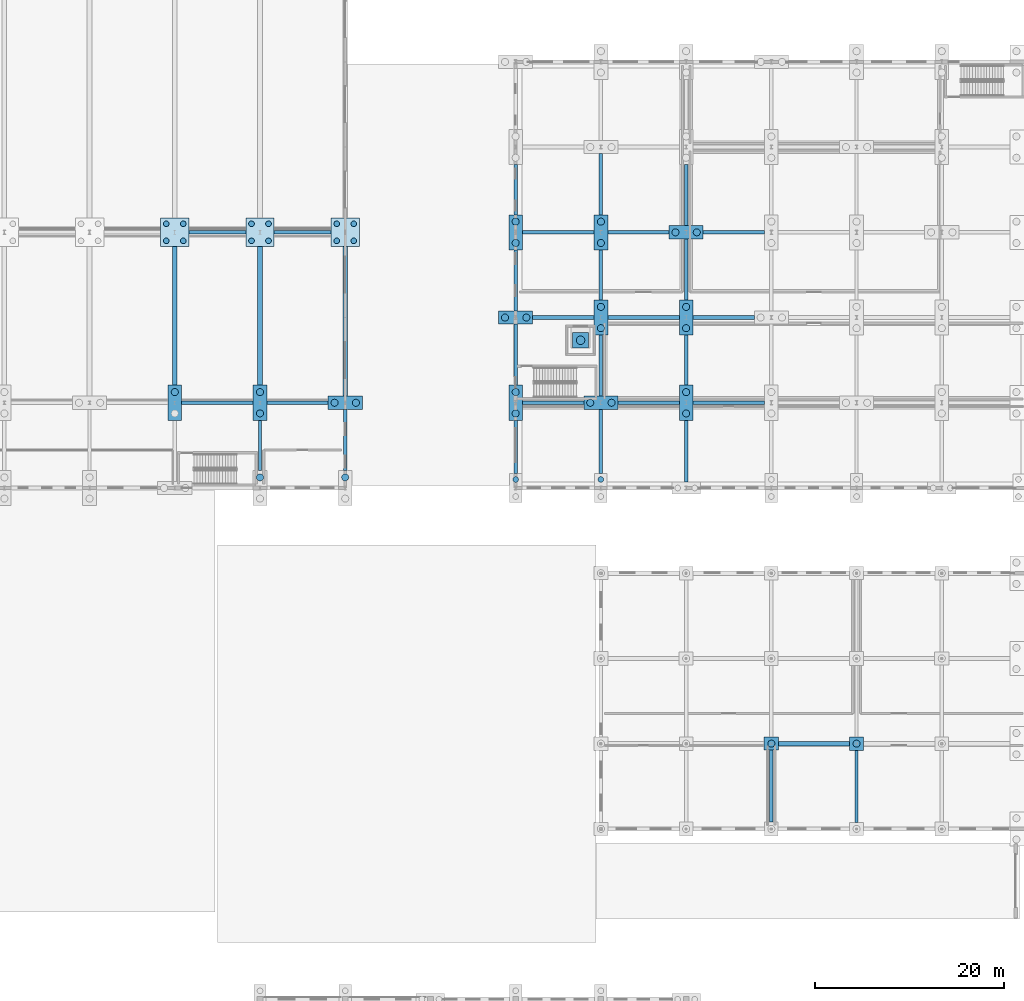
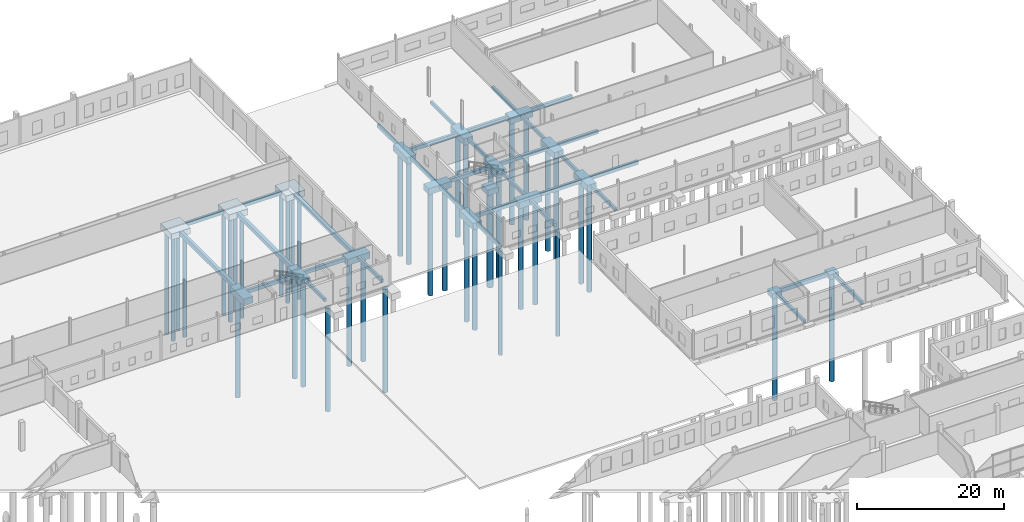
# One storey, part 14 of 112: 51 footings, 42 piles.
"""IFC4 building model written with IfcOpenShell, lengths in metres."""

import ifcopenshell
import ifcopenshell.guid

model = None  # the IFC model being written
_history = None  # IfcOwnerHistory: only IFC2X3 demands one
_inside = {}  # id of a spatial element -> (the spatial element, [elements in it])
_under = {}  # id of a project, library or spatial element -> (it, [spatial elements below it])
_declared = {}  # id of a project -> (the project, [libraries it declares])
_typed = {}  # id of a type object -> (the type object, [elements of that type])
_made_of = {}  # id of a material, layer set ... -> (it, [elements and type objects made of it])


def new_model(schema):
    """Start an empty IFC model of exactly this schema.

    Asked for "IFC4X3", IfcOpenShell would pick the latest addendum, in which some entities
    have other attributes; the version numbers below select the first issue.
    IFC2X3 requires an IfcOwnerHistory on every rooted entity: one is made here for all.
    """
    global model, _history
    if schema == "IFC4X3":
        model = ifcopenshell.file(schema_version=(4, 3, 0, 0))
    else:
        model = ifcopenshell.file(schema=schema)
    _inside.clear()
    _under.clear()
    _declared.clear()
    _typed.clear()
    _made_of.clear()
    _history = None
    if model.schema == "IFC2X3":
        org = make("IfcOrganization", Name="unknown")
        user = make(
            "IfcPersonAndOrganization",
            ThePerson=make("IfcPerson", FamilyName="unknown"),
            TheOrganization=org,
        )
        app = make(
            "IfcApplication",
            ApplicationDeveloper=org,
            Version="unknown",
            ApplicationFullName="unknown",
            ApplicationIdentifier="unknown",
        )
        _history = make(
            "IfcOwnerHistory",
            OwningUser=user,
            OwningApplication=app,
            ChangeAction="ADDED",
            CreationDate=0,
        )
    return model


def make(cls, **values):
    """One entity of the class cls with the attributes given. An attribute that is None is left unset."""
    return model.create_entity(
        cls, **{name: value for name, value in values.items() if value is not None}
    )


def rooted(cls, **values):
    """An entity with a GlobalId (a new one), such as an element, a storey or a relation."""
    return make(cls, GlobalId=ifcopenshell.guid.new(), OwnerHistory=_history, **values)


def si_unit(unit_type, name, prefix=None):
    """IfcSIUnit, for example si_unit("LENGTHUNIT", "METRE", prefix="MILLI")."""
    return make("IfcSIUnit", UnitType=unit_type, Prefix=prefix, Name=name)


def assignment(units):
    """IfcUnitAssignment: the units of a project."""
    return None if units is None else make("IfcUnitAssignment", Units=units)


def point(xyz):
    """IfcCartesianPoint."""
    return None if xyz is None else make("IfcCartesianPoint", Coordinates=xyz)


def direction(xyz):
    """IfcDirection."""
    return None if xyz is None else make("IfcDirection", DirectionRatios=xyz)


def frame(location, z_axis=None, x_axis=None):
    """IfcAxis2Placement3D, a coordinate frame: its origin and axes. An axis left out is left unset."""
    return make(
        "IfcAxis2Placement3D",
        Location=point(location),
        Axis=direction(z_axis),
        RefDirection=direction(x_axis),
    )


def frame_2d(location, x_axis=None):
    """IfcAxis2Placement2D, a coordinate frame in the plane: its origin and x axis."""
    return make(
        "IfcAxis2Placement2D", Location=point(location), RefDirection=direction(x_axis)
    )


def origin():
    """The frame at (0, 0, 0) with its axes left unset."""
    return frame((0.0, 0.0, 0.0))


def origin_2d():
    """The frame at (0, 0) in the plane with its x axis left unset."""
    return frame_2d((0.0, 0.0))


def place(relative_to, where):
    """IfcLocalPlacement: puts the frame where relative to a parent placement (None: the world)."""
    return make(
        "IfcLocalPlacement", PlacementRelTo=relative_to, RelativePlacement=where
    )


def context(
    kind, dimensions, precision=None, world=None, true_north=None, identifier=None
):
    """IfcGeometricRepresentationContext, for example the 3D "Model" context."""
    return make(
        "IfcGeometricRepresentationContext",
        ContextIdentifier=identifier,
        ContextType=kind,
        CoordinateSpaceDimension=dimensions,
        Precision=precision,
        WorldCoordinateSystem=world,
        TrueNorth=true_north,
    )


def subcontext(parent, identifier, kind, view, scale=None):
    """IfcGeometricRepresentationSubContext, for example "Body" below "Model"."""
    return make(
        "IfcGeometricRepresentationSubContext",
        ContextIdentifier=identifier,
        ContextType=kind,
        ParentContext=parent,
        TargetScale=scale,
        TargetView=view,
    )


def project(units=None, contexts=None):
    """IfcProject with its units and contexts."""
    return rooted(
        "IfcProject",
        Name="project",
        RepresentationContexts=contexts,
        UnitsInContext=assignment(units),
    )


def spatial(cls, under=None, at=None, **own):
    """A site, building, storey or space (cls), placed at a placement, below another one or the project."""
    s = rooted(cls, ObjectPlacement=at, **own)
    if under is not None:
        _under.setdefault(under.id(), (under, []))[1].append(s)
    return s


def polyline(points):
    """IfcPolyline through the points."""
    return make("IfcPolyline", Points=[point(p) for p in points])


def profile(cls, at=None, kind="AREA", **sizes):
    """A parametric profile (cls). Its sizes go by their IFC names, for example OverallWidth=200.0."""
    return make(cls, ProfileType=kind, Position=at, **sizes)


def rectangle(**sizes):
    """IfcRectangleProfileDef."""
    return profile("IfcRectangleProfileDef", **sizes)


def circle(**sizes):
    """IfcCircleProfileDef."""
    return profile("IfcCircleProfileDef", **sizes)


def outline(outer, holes=None, kind="AREA"):
    """IfcArbitraryClosedProfileDef: a profile drawn as a closed curve; with holes, ...WithVoids."""
    if holes is None:
        return make("IfcArbitraryClosedProfileDef", ProfileType=kind, OuterCurve=outer)
    return make(
        "IfcArbitraryProfileDefWithVoids",
        ProfileType=kind,
        OuterCurve=outer,
        InnerCurves=holes,
    )


def extrude(swept, where, along, depth):
    """IfcExtrudedAreaSolid: the profile swept, set in the frame where, extruded along a direction by depth."""
    return make(
        "IfcExtrudedAreaSolid",
        SweptArea=swept,
        Position=where,
        ExtrudedDirection=direction(along),
        Depth=depth,
    )


def shape(context_of_items, identifier, shape_type, items):
    """IfcShapeRepresentation: the items that make up one representation, for example the "Body"."""
    return make(
        "IfcShapeRepresentation",
        ContextOfItems=context_of_items,
        RepresentationIdentifier=identifier,
        RepresentationType=shape_type,
        Items=items,
    )


def material(Name=None, Category=None):
    """IfcMaterial."""
    return make("IfcMaterial", Name=Name, Category=Category)


def material_profile(
    of_material, cross_section, Name=None, Category=None, Priority=None
):
    """IfcMaterialProfile: a cross section and its material."""
    return make(
        "IfcMaterialProfile",
        Name=Name,
        Material=of_material,
        Profile=cross_section,
        Priority=Priority,
        Category=Category,
    )


def profile_set(profiles, Name=None, composite=None):
    """IfcMaterialProfileSet."""
    return make(
        "IfcMaterialProfileSet",
        Name=Name,
        MaterialProfiles=profiles,
        CompositeProfile=composite,
    )


def made_of(thing, what):
    """Note that an element or type object is made of a material, layer set ...; save() writes the relation."""
    if what is not None:
        _made_of.setdefault(what.id(), (what, []))[1].append(thing)
    return thing


def type_object(cls, material=None, **own):
    """A type object (cls), such as IfcWallType, which elements share."""
    return made_of(rooted(cls, **own), material)


def element(
    cls,
    number,
    at=None,
    inside=None,
    cuts=None,
    type_object=None,
    material=None,
    context=None,
    identifier="Body",
    shape_type=None,
    held_by="IfcProductDefinitionShape",
    body=None,
    shapes=None,
    **own,
):
    """One element of the class cls, such as IfcWall. Its Tag is "e" and its number.

    at: its placement. inside: the storey or other place that contains it. cuts: it is an
    opening in that element (IfcRelVoidsElement). A single representation is given by context,
    identifier, shape_type and body (its items); several are given by shapes. held_by: the class
    of the entity that holds the representations. save() writes the other relations.
    """
    e = rooted(cls, Tag="e%d" % number, ObjectPlacement=at, **own)
    if body is not None:
        shapes = [shape(context, identifier, shape_type, body)]
    if shapes is not None:
        e.Representation = make(held_by, Representations=shapes)
    if inside is not None:
        _inside.setdefault(inside.id(), (inside, []))[1].append(e)
    if cuts is not None:
        rooted(
            "IfcRelVoidsElement", RelatingBuildingElement=cuts, RelatedOpeningElement=e
        )
    if type_object is not None:
        _typed.setdefault(type_object.id(), (type_object, []))[1].append(e)
    return made_of(e, material)


def aggregate(whole, parts):
    """IfcRelAggregates: a whole, such as a stair, and the parts it consists of."""
    return rooted("IfcRelAggregates", RelatingObject=whole, RelatedObjects=parts)


def save(model, path):
    """Write the relations noted so far, then the file.

    IfcRelAggregates (storeys below a building ...), IfcRelContainedInSpatialStructure (elements
    in a storey), IfcRelDefinesByType, IfcRelAssociatesMaterial and IfcRelDeclares: one each for
    every whole, place, type object, material and project.
    """
    for whole, parts in _under.values():
        aggregate(whole, parts)
    for where, things in _inside.values():
        rooted(
            "IfcRelContainedInSpatialStructure",
            RelatedElements=things,
            RelatingStructure=where,
        )
    for kind, things in _typed.values():
        rooted("IfcRelDefinesByType", RelatedObjects=things, RelatingType=kind)
    for what, things in _made_of.values():
        rooted("IfcRelAssociatesMaterial", RelatedObjects=things, RelatingMaterial=what)
    for by, libraries in _declared.values():
        rooted("IfcRelDeclares", RelatingContext=by, RelatedDefinitions=libraries)
    model.write(path)


model = new_model("IFC4")

# Units and contexts
model_context = context("Model", 3, precision=1e-05, world=origin(), true_north=direction((0.0, 1.0)))
body_context = subcontext(model_context, "Body", "Model", "MODEL_VIEW")
ifc_project = project(units=[si_unit("LENGTHUNIT", "METRE"), si_unit("AREAUNIT", "SQUARE_METRE"), si_unit("VOLUMEUNIT", "CUBIC_METRE"), si_unit("PLANEANGLEUNIT", "RADIAN"), si_unit("MASSUNIT", "GRAM", prefix="KILO")], contexts=[model_context])

# Site, building, storey
site_placement = place(None, origin())
site = spatial("IfcSite", under=ifc_project, at=site_placement, CompositionType="ELEMENT")
building_placement = place(site_placement, origin())
building = spatial("IfcBuilding", under=site, at=building_placement, Name="Tharagai Park Tramway Depot", CompositionType="ELEMENT")
storey_placement = place(building_placement, origin())
storey = spatial("IfcBuildingStorey", under=building, at=storey_placement, Name="L00", CompositionType="ELEMENT", Elevation=0.0)

# Piles
ifc_material = material(Name="Concrete M40", Category="concrete")
ifc_material_profile_1 = material_profile(ifc_material, circle(Radius=0.449951171875, at=origin_2d()), Name="PILE D900")
ifc_profile_set_1 = profile_set([ifc_material_profile_1], Name="Concrete M40")
pile_type_1 = type_object("IfcPileType", Name="BP-01", PredefinedType="BORED", material=ifc_profile_set_1)
pile_1_placement = place(storey_placement, frame((168.85009765625, 105.60009765625, -2.60009765625), z_axis=(0.0, 0.0, -1.0), x_axis=(1.0, 0.0, 0.0)))
element("IfcPile", 1, at=pile_1_placement, inside=storey, type_object=pile_type_1, Name="Lift LG-02 Pit Bored Pile", PredefinedType="BORED", context=body_context, shape_type="SweptSolid", body=[
    extrude(circle(Radius=0.449951171875, at=origin_2d()), origin(), (0.0, 0.0, 1.0), 15.89990234375),
])
ifc_material_profile_2 = material_profile(ifc_material, circle(Radius=0.375, at=origin_2d()), Name="PILE D750")
ifc_profile_set_2 = profile_set([ifc_material_profile_2], Name="Concrete M40")
pile_type_2 = type_object("IfcPileType", Name="BP-02", PredefinedType="BORED", material=ifc_profile_set_2)
for number, where, z_axis, x_axis, name in (
    (2, (126.0, 100.125, -1.280029296875), (0.0, 0.0, -1.0), (1.0, 0.0, 0.0), "Bored Pile BP-02 (126,99) #2"),
    (3, (135.0, 91.125, -1.280029296875), (0.0, 0.0, -1.0), (1.0, 0.0, 0.0), "Bored Pile BP-02 (135,90) #2"),
    (4, (135.0, 97.875, -1.280029296875), (0.0, 0.0, -1.0), (1.0, 0.0, 0.0), "Bored Pile BP-02 (135,99) #1"),
    (5, (135.0, 100.125, -1.280029296875), (0.0, 0.0, -1.0), (1.0, 0.0, 0.0), "Bored Pile BP-02 (135,99) #2"),
    (6, (144.0, 91.125, -1.280029296875), (0.0, 0.0, -1.0), (1.0, 0.0, 0.0), "Bored Pile BP-02 (144,90) #2"),
):
    element("IfcPile", number, at=place(storey_placement, frame(where, z_axis=z_axis, x_axis=x_axis)), inside=storey, type_object=pile_type_2, Name=name, PredefinedType="BORED", context=body_context, shape_type="SweptSolid", body=[
        extrude(circle(Radius=0.375, at=origin_2d()), origin(), (0.0, 0.0, 1.0), 17.219970703125),
    ])
for number, where, z_axis, x_axis, name in (
    (7, (142.875, 99.0, -1.25), (0.0, 0.0, -1.0), (1.0, 0.0, 0.0), "Bored Pile BP-02 (144,99) #1"),
    (8, (145.125, 99.0, -1.25), (0.0, 0.0, -1.0), (1.0, 0.0, 0.0), "Bored Pile BP-02 (144,99) #2"),
):
    element("IfcPile", number, at=place(storey_placement, frame(where, z_axis=z_axis, x_axis=x_axis)), inside=storey, type_object=pile_type_2, Name=name, PredefinedType="BORED", context=body_context, shape_type="SweptSolid", body=[
        extrude(circle(Radius=0.375, at=origin_2d()), origin(), (0.0, 0.0, 1.0), 17.25),
    ])
for number, where, z_axis, x_axis, name in (
    (9, (162.0, 97.875, -1.280029296875), (0.0, 0.0, -1.0), (1.0, 0.0, 0.0), "Bored Pile BP-02 (162,99) #1"),
    (10, (162.0, 100.125, -1.280029296875), (0.0, 0.0, -1.0), (1.0, 0.0, 0.0), "Bored Pile BP-02 (162,99) #2"),
):
    element("IfcPile", number, at=place(storey_placement, frame(where, z_axis=z_axis, x_axis=x_axis)), inside=storey, type_object=pile_type_2, Name=name, PredefinedType="BORED", context=body_context, shape_type="SweptSolid", body=[
        extrude(circle(Radius=0.375, at=origin_2d()), origin(), (0.0, 0.0, 1.0), 17.219970703125),
    ])
for number, where, z_axis, x_axis, name in (
    (11, (160.875, 108.0, -1.25), (0.0, 0.0, -1.0), (1.0, 0.0, 0.0), "Bored Pile BP-02 (162,108) #1"),
    (12, (163.125, 108.0, -1.25), (0.0, 0.0, -1.0), (1.0, 0.0, 0.0), "Bored Pile BP-02 (162,108) #2"),
):
    element("IfcPile", number, at=place(storey_placement, frame(where, z_axis=z_axis, x_axis=x_axis)), inside=storey, type_object=pile_type_2, Name=name, PredefinedType="BORED", context=body_context, shape_type="SweptSolid", body=[
        extrude(circle(Radius=0.375, at=origin_2d()), origin(), (0.0, 0.0, 1.0), 17.25),
    ])
for number, where, z_axis, x_axis, name in (
    (13, (162.0, 115.875, -1.280029296875), (0.0, 0.0, -1.0), (1.0, 0.0, 0.0), "Bored Pile BP-02 (162,117) #1"),
    (14, (162.0, 118.125, -1.280029296875), (0.0, 0.0, -1.0), (1.0, 0.0, 0.0), "Bored Pile BP-02 (162,117) #2"),
):
    element("IfcPile", number, at=place(storey_placement, frame(where, z_axis=z_axis, x_axis=x_axis)), inside=storey, type_object=pile_type_2, Name=name, PredefinedType="BORED", context=body_context, shape_type="SweptSolid", body=[
        extrude(circle(Radius=0.375, at=origin_2d()), origin(), (0.0, 0.0, 1.0), 17.219970703125),
    ])
for number, where, z_axis, x_axis, name in (
    (15, (169.875, 99.0, -1.25), (0.0, 0.0, -1.0), (1.0, 0.0, 0.0), "Bored Pile BP-02 (171,99) #1"),
    (16, (172.125, 99.0, -1.25), (0.0, 0.0, -1.0), (1.0, 0.0, 0.0), "Bored Pile BP-02 (171,99) #2"),
):
    element("IfcPile", number, at=place(storey_placement, frame(where, z_axis=z_axis, x_axis=x_axis)), inside=storey, type_object=pile_type_2, Name=name, PredefinedType="BORED", context=body_context, shape_type="SweptSolid", body=[
        extrude(circle(Radius=0.375, at=origin_2d()), origin(), (0.0, 0.0, 1.0), 17.25),
    ])
for number, where, z_axis, x_axis, name in (
    (17, (171.0, 106.875, -1.280029296875), (0.0, 0.0, -1.0), (1.0, 0.0, 0.0), "Bored Pile BP-02 (171,108) #1"),
    (18, (171.0, 109.125, -1.280029296875), (0.0, 0.0, -1.0), (1.0, 0.0, 0.0), "Bored Pile BP-02 (171,108) #2"),
    (19, (171.0, 115.875, -1.280029296875), (0.0, 0.0, -1.0), (1.0, 0.0, 0.0), "Bored Pile BP-02 (171,117) #1"),
    (20, (171.0, 118.125, -1.280029296875), (0.0, 0.0, -1.0), (1.0, 0.0, 0.0), "Bored Pile BP-02 (171,117) #2"),
    (21, (180.0, 97.875, -1.280029296875), (0.0, 0.0, -1.0), (1.0, 0.0, 0.0), "Bored Pile BP-02 (180,99) #1"),
    (22, (180.0, 100.125, -1.280029296875), (0.0, 0.0, -1.0), (1.0, 0.0, 0.0), "Bored Pile BP-02 (180,99) #2"),
    (23, (180.0, 106.875, -1.280029296875), (0.0, 0.0, -1.0), (1.0, 0.0, 0.0), "Bored Pile BP-02 (180,108) #1"),
    (24, (180.0, 109.125, -1.280029296875), (0.0, 0.0, -1.0), (1.0, 0.0, 0.0), "Bored Pile BP-02 (180,108) #2"),
):
    element("IfcPile", number, at=place(storey_placement, frame(where, z_axis=z_axis, x_axis=x_axis)), inside=storey, type_object=pile_type_2, Name=name, PredefinedType="BORED", context=body_context, shape_type="SweptSolid", body=[
        extrude(circle(Radius=0.375, at=origin_2d()), origin(), (0.0, 0.0, 1.0), 17.219970703125),
    ])
for number, where, z_axis, x_axis, name in (
    (25, (178.875, 117.0, -1.25), (0.0, 0.0, -1.0), (1.0, 0.0, 0.0), "Bored Pile BP-02 (180,117) #1"),
    (26, (181.125, 117.0, -1.25), (0.0, 0.0, -1.0), (1.0, 0.0, 0.0), "Bored Pile BP-02 (180,117) #2"),
):
    element("IfcPile", number, at=place(storey_placement, frame(where, z_axis=z_axis, x_axis=x_axis)), inside=storey, type_object=pile_type_2, Name=name, PredefinedType="BORED", context=body_context, shape_type="SweptSolid", body=[
        extrude(circle(Radius=0.375, at=origin_2d()), origin(), (0.0, 0.0, 1.0), 17.25),
    ])
pile_2_placement = place(storey_placement, frame((189.0, 63.0, -1.080078125), z_axis=(0.0, 0.0, -1.0), x_axis=(1.0, 0.0, 0.0)))
element("IfcPile", 27, at=pile_2_placement, inside=storey, type_object=pile_type_2, Name="Bored Pile BP-02 (189,63) #1", PredefinedType="BORED", context=body_context, shape_type="SweptSolid", body=[
    extrude(circle(Radius=0.375, at=origin_2d()), origin(), (0.0, 0.0, 1.0), 17.419921875),
])
pile_3_placement = place(storey_placement, frame((198.0, 63.0, -1.050048828125), z_axis=(0.0, 0.0, -1.0), x_axis=(1.0, 0.0, 0.0)))
element("IfcPile", 28, at=pile_3_placement, inside=storey, type_object=pile_type_2, Name="Bored Pile BP-02 (198,63) #1", PredefinedType="BORED", context=body_context, shape_type="SweptSolid", body=[
    extrude(circle(Radius=0.375, at=origin_2d()), origin(), (0.0, 0.0, 1.0), 17.449951171875),
])
ifc_material_profile_3 = material_profile(ifc_material, circle(Radius=0.300048828125, at=origin_2d()), Name="PILE D600")
ifc_profile_set_3 = profile_set([ifc_material_profile_3], Name="Concrete M40")
pile_type_3 = type_object("IfcPileType", Name="BP-03", PredefinedType="BORED", material=ifc_profile_set_3)
for number, where, z_axis, x_axis, name in (
    (29, (125.10009765625, 116.10009765625, -1.199951171875), (0.0, 0.0, -1.0), (1.0, 0.0, 0.0), "Bored Pile BP-03 (126,117) #1"),
    (30, (126.89990234375, 116.10009765625, -1.199951171875), (0.0, 0.0, -1.0), (1.0, 0.0, 0.0), "Bored Pile BP-03 (126,117) #2"),
    (31, (125.10009765625, 117.89990234375, -1.199951171875), (0.0, 0.0, -1.0), (1.0, 0.0, 0.0), "Bored Pile BP-03 (126,117) #3"),
    (32, (126.89990234375, 117.89990234375, -1.199951171875), (0.0, 0.0, -1.0), (1.0, 0.0, 0.0), "Bored Pile BP-03 (126,117) #4"),
    (33, (134.10009765625, 116.10009765625, -1.199951171875), (0.0, 0.0, -1.0), (1.0, 0.0, 0.0), "Bored Pile BP-03 (135,117) #1"),
    (34, (135.89990234375, 116.10009765625, -1.199951171875), (0.0, 0.0, -1.0), (1.0, 0.0, 0.0), "Bored Pile BP-03 (135,117) #2"),
    (35, (134.10009765625, 117.89990234375, -1.199951171875), (0.0, 0.0, -1.0), (1.0, 0.0, 0.0), "Bored Pile BP-03 (135,117) #3"),
    (36, (135.89990234375, 117.89990234375, -1.199951171875), (0.0, 0.0, -1.0), (1.0, 0.0, 0.0), "Bored Pile BP-03 (135,117) #4"),
    (37, (143.10009765625, 116.10009765625, -1.199951171875), (0.0, 0.0, -1.0), (1.0, 0.0, 0.0), "Bored Pile BP-03 (144,117) #1"),
    (38, (144.89990234375, 116.10009765625, -1.199951171875), (0.0, 0.0, -1.0), (1.0, 0.0, 0.0), "Bored Pile BP-03 (144,117) #2"),
    (39, (143.10009765625, 117.89990234375, -1.199951171875), (0.0, 0.0, -1.0), (1.0, 0.0, 0.0), "Bored Pile BP-03 (144,117) #3"),
    (40, (144.89990234375, 117.89990234375, -1.199951171875), (0.0, 0.0, -1.0), (1.0, 0.0, 0.0), "Bored Pile BP-03 (144,117) #4"),
):
    element("IfcPile", number, at=place(storey_placement, frame(where, z_axis=z_axis, x_axis=x_axis)), inside=storey, type_object=pile_type_3, Name=name, PredefinedType="BORED", context=body_context, shape_type="SweptSolid", body=[
        extrude(circle(Radius=0.300048828125, at=origin_2d()), origin(), (0.0, 0.0, 1.0), 17.300048828125),
    ])
for number, where, z_axis, x_axis, name in (
    (41, (162.0, 90.89990234375, -1.1201171875), (0.0, 0.0, -1.0), (1.0, 0.0, 0.0), "Bored Pile BP-03 (162,90) #2"),
    (42, (171.0, 90.89990234375, -1.1201171875), (0.0, 0.0, -1.0), (1.0, 0.0, 0.0), "Bored Pile BP-03 (171,90) #2"),
):
    element("IfcPile", number, at=place(storey_placement, frame(where, z_axis=z_axis, x_axis=x_axis)), inside=storey, type_object=pile_type_3, Name=name, PredefinedType="BORED", context=body_context, shape_type="SweptSolid", body=[
        extrude(circle(Radius=0.300048828125, at=origin_2d()), origin(), (0.0, 0.0, 1.0), 17.3798828125),
    ])

# Footings
footing_type_1 = type_object("IfcFootingType", Name="GB-01", PredefinedType="FOOTING_BEAM", material=ifc_material)
footing_1_placement = place(storey_placement, frame((0.0, 0.0, -0.949951171875)))
element("IfcFooting", 43, at=footing_1_placement, inside=storey, type_object=footing_type_1, Name="Ground Tie Beam GB-01", PredefinedType="FOOTING_BEAM", context=body_context, shape_type="SweptSolid", body=[
    extrude(outline(polyline([(189.75, 62.77490234375), (197.27490234375, 62.77490234375), (197.27490234375, 63.22509765625), (189.75, 63.22509765625), (189.75, 62.77490234375)])), origin(), (0.0, 0.0, 1.0), 0.64990234375),
])
footing_type_2 = type_object("IfcFootingType", Name="GB-02", PredefinedType="FOOTING_BEAM", material=ifc_material)
footing_2_placement = place(storey_placement, frame((0.0, 0.0, -1.0)))
element("IfcFooting", 44, at=footing_2_placement, inside=storey, type_object=footing_type_2, Name="Ground Tie Beam GB-02", PredefinedType="FOOTING_BEAM", context=body_context, shape_type="SweptSolid", body=[
    extrude(outline(polyline([(125.75, 100.85009765625), (126.25, 100.85009765625), (126.25, 115.5), (125.75, 115.5), (125.75, 100.85009765625)])), origin(), (0.0, 0.0, 1.0), 0.699951171875),
])
footing_3_placement = place(storey_placement, frame((0.0, 0.0, -1.0)))
element("IfcFooting", 45, at=footing_3_placement, inside=storey, type_object=footing_type_2, Name="Ground Tie Beam GB-02", PredefinedType="FOOTING_BEAM", context=body_context, shape_type="SweptSolid", body=[
    extrude(outline(polyline([(134.75, 100.85009765625), (135.25, 100.85009765625), (135.25, 115.5), (134.75, 115.5), (134.75, 100.85009765625)])), origin(), (0.0, 0.0, 1.0), 0.699951171875),
])
footing_4_placement = place(storey_placement, frame((0.0, 0.0, -1.0)))
element("IfcFooting", 46, at=footing_4_placement, inside=storey, type_object=footing_type_2, Name="Ground Tie Beam GB-02", PredefinedType="FOOTING_BEAM", context=body_context, shape_type="SweptSolid", body=[
    extrude(outline(polyline([(143.75, 99.699951171875), (144.25, 99.699951171875), (144.25, 115.5), (143.75, 115.5), (143.75, 99.699951171875)])), origin(), (0.0, 0.0, 1.0), 0.699951171875),
])
footing_type_3 = type_object("IfcFootingType", Name="GB-03", PredefinedType="FOOTING_BEAM", material=ifc_material)
footing_5_placement = place(storey_placement, frame((0.0, 0.0, -0.85009765625)))
element("IfcFooting", 47, at=footing_5_placement, inside=storey, type_object=footing_type_3, Name="Ground Tie Beam GB-03", PredefinedType="FOOTING_BEAM", context=body_context, shape_type="SweptSolid", body=[
    extrude(outline(polyline([(134.824951171875, 91.85009765625), (135.175048828125, 91.85009765625), (135.175048828125, 97.14990234375), (134.824951171875, 97.14990234375), (134.824951171875, 91.85009765625)])), origin(), (0.0, 0.0, 1.0), 0.550048828125),
])
footing_6_placement = place(storey_placement, frame((0.0, 0.0, -0.85009765625)))
element("IfcFooting", 48, at=footing_6_placement, inside=storey, type_object=footing_type_3, Name="Ground Tie Beam GB-03", PredefinedType="FOOTING_BEAM", context=body_context, shape_type="SweptSolid", body=[
    extrude(outline(polyline([(143.824951171875, 91.85009765625), (144.175048828125, 91.85009765625), (144.175048828125, 98.300048828125), (143.824951171875, 98.300048828125), (143.824951171875, 91.85009765625)])), origin(), (0.0, 0.0, 1.0), 0.550048828125),
])
footing_7_placement = place(storey_placement, frame((0.0, 0.0, -0.85009765625)))
element("IfcFooting", 49, at=footing_7_placement, inside=storey, type_object=footing_type_3, Name="Ground Tie Beam GB-03", PredefinedType="FOOTING_BEAM", context=body_context, shape_type="SweptSolid", body=[
    extrude(outline(polyline([(161.824951171875, 91.550048828125), (162.175048828125, 91.550048828125), (162.175048828125, 97.14990234375), (161.824951171875, 97.14990234375), (161.824951171875, 91.550048828125)])), origin(), (0.0, 0.0, 1.0), 0.550048828125),
])
footing_8_placement = place(storey_placement, frame((0.0, 0.0, -0.85009765625)))
element("IfcFooting", 50, at=footing_8_placement, inside=storey, type_object=footing_type_3, Name="Ground Tie Beam GB-03", PredefinedType="FOOTING_BEAM", context=body_context, shape_type="SweptSolid", body=[
    extrude(outline(polyline([(161.824951171875, 100.85009765625), (162.175048828125, 100.85009765625), (162.175048828125, 107.300048828125), (161.824951171875, 107.300048828125), (161.824951171875, 100.85009765625)])), origin(), (0.0, 0.0, 1.0), 0.550048828125),
])
footing_9_placement = place(storey_placement, frame((0.0, 0.0, -0.85009765625)))
element("IfcFooting", 51, at=footing_9_placement, inside=storey, type_object=footing_type_3, Name="Ground Tie Beam GB-03", PredefinedType="FOOTING_BEAM", context=body_context, shape_type="SweptSolid", body=[
    extrude(outline(polyline([(161.824951171875, 108.699951171875), (162.175048828125, 108.699951171875), (162.175048828125, 115.14990234375), (161.824951171875, 115.14990234375), (161.824951171875, 108.699951171875)])), origin(), (0.0, 0.0, 1.0), 0.550048828125),
])
footing_10_placement = place(storey_placement, frame((0.0, 0.0, -0.85009765625)))
element("IfcFooting", 52, at=footing_10_placement, inside=storey, type_object=footing_type_3, Name="Ground Tie Beam GB-03", PredefinedType="FOOTING_BEAM", context=body_context, shape_type="SweptSolid", body=[
    extrude(outline(polyline([(161.824951171875, 118.85009765625), (162.175048828125, 118.85009765625), (162.175048828125, 124.14990234375), (161.824951171875, 124.14990234375), (161.824951171875, 118.85009765625)])), origin(), (0.0, 0.0, 1.0), 0.550048828125),
])
footing_11_placement = place(storey_placement, frame((0.0, 0.0, -0.85009765625)))
element("IfcFooting", 53, at=footing_11_placement, inside=storey, type_object=footing_type_3, Name="Ground Tie Beam GB-03", PredefinedType="FOOTING_BEAM", context=body_context, shape_type="SweptSolid", body=[
    extrude(outline(polyline([(170.824951171875, 91.550048828125), (171.175048828125, 91.550048828125), (171.175048828125, 98.300048828125), (170.824951171875, 98.300048828125), (170.824951171875, 91.550048828125)])), origin(), (0.0, 0.0, 1.0), 0.550048828125),
])
footing_12_placement = place(storey_placement, frame((0.0, 0.0, -0.85009765625)))
element("IfcFooting", 54, at=footing_12_placement, inside=storey, type_object=footing_type_3, Name="Ground Tie Beam GB-03", PredefinedType="FOOTING_BEAM", context=body_context, shape_type="SweptSolid", body=[
    extrude(outline(polyline([(170.824951171875, 99.699951171875), (171.175048828125, 99.699951171875), (171.175048828125, 106.14990234375), (170.824951171875, 106.14990234375), (170.824951171875, 99.699951171875)])), origin(), (0.0, 0.0, 1.0), 0.550048828125),
])
footing_13_placement = place(storey_placement, frame((0.0, 0.0, -0.85009765625)))
element("IfcFooting", 55, at=footing_13_placement, inside=storey, type_object=footing_type_3, Name="Ground Tie Beam GB-03", PredefinedType="FOOTING_BEAM", context=body_context, shape_type="SweptSolid", body=[
    extrude(outline(polyline([(170.824951171875, 109.85009765625), (171.175048828125, 109.85009765625), (171.175048828125, 115.14990234375), (170.824951171875, 115.14990234375), (170.824951171875, 109.85009765625)])), origin(), (0.0, 0.0, 1.0), 0.550048828125),
])
footing_14_placement = place(storey_placement, frame((0.0, 0.0, -0.85009765625)))
element("IfcFooting", 56, at=footing_14_placement, inside=storey, type_object=footing_type_3, Name="Ground Tie Beam GB-03", PredefinedType="FOOTING_BEAM", context=body_context, shape_type="SweptSolid", body=[
    extrude(outline(polyline([(170.824951171875, 118.85009765625), (171.175048828125, 118.85009765625), (171.175048828125, 125.300048828125), (170.824951171875, 125.300048828125), (170.824951171875, 118.85009765625)])), origin(), (0.0, 0.0, 1.0), 0.550048828125),
])
footing_15_placement = place(storey_placement, frame((0.0, 0.0, -0.85009765625)))
element("IfcFooting", 57, at=footing_15_placement, inside=storey, type_object=footing_type_3, Name="Ground Tie Beam GB-03", PredefinedType="FOOTING_BEAM", context=body_context, shape_type="SweptSolid", body=[
    extrude(outline(polyline([(179.824951171875, 90.625), (180.175048828125, 90.625), (180.175048828125, 97.14990234375), (179.824951171875, 97.14990234375), (179.824951171875, 90.625)])), origin(), (0.0, 0.0, 1.0), 0.550048828125),
])
footing_16_placement = place(storey_placement, frame((0.0, 0.0, -0.85009765625)))
element("IfcFooting", 58, at=footing_16_placement, inside=storey, type_object=footing_type_3, Name="Ground Tie Beam GB-03", PredefinedType="FOOTING_BEAM", context=body_context, shape_type="SweptSolid", body=[
    extrude(outline(polyline([(179.824951171875, 100.85009765625), (180.175048828125, 100.85009765625), (180.175048828125, 106.14990234375), (179.824951171875, 106.14990234375), (179.824951171875, 100.85009765625)])), origin(), (0.0, 0.0, 1.0), 0.550048828125),
])
footing_17_placement = place(storey_placement, frame((0.0, 0.0, -0.85009765625)))
element("IfcFooting", 59, at=footing_17_placement, inside=storey, type_object=footing_type_3, Name="Ground Tie Beam GB-03", PredefinedType="FOOTING_BEAM", context=body_context, shape_type="SweptSolid", body=[
    extrude(outline(polyline([(179.824951171875, 109.85009765625), (180.175048828125, 109.85009765625), (180.175048828125, 116.300048828125), (179.824951171875, 116.300048828125), (179.824951171875, 109.85009765625)])), origin(), (0.0, 0.0, 1.0), 0.550048828125),
])
footing_18_placement = place(storey_placement, frame((0.0, 0.0, -0.85009765625)))
element("IfcFooting", 60, at=footing_18_placement, inside=storey, type_object=footing_type_3, Name="Ground Tie Beam GB-03", PredefinedType="FOOTING_BEAM", context=body_context, shape_type="SweptSolid", body=[
    extrude(outline(polyline([(179.824951171875, 117.699951171875), (180.175048828125, 117.699951171875), (180.175048828125, 124.14990234375), (179.824951171875, 124.14990234375), (179.824951171875, 117.699951171875)])), origin(), (0.0, 0.0, 1.0), 0.550048828125),
])
footing_19_placement = place(storey_placement, frame((0.0, 0.0, -0.85009765625)))
element("IfcFooting", 61, at=footing_19_placement, inside=storey, type_object=footing_type_3, Name="Ground Tie Beam GB-03", PredefinedType="FOOTING_BEAM", context=body_context, shape_type="SweptSolid", body=[
    extrude(outline(polyline([(188.824951171875, 54.72509765625), (189.175048828125, 54.72509765625), (189.175048828125, 62.31005859375), (188.824951171875, 62.31005859375), (188.824951171875, 54.72509765625)])), origin(), (0.0, 0.0, 1.0), 0.550048828125),
])
footing_20_placement = place(storey_placement, frame((0.0, 0.0, -0.85009765625)))
element("IfcFooting", 62, at=footing_20_placement, inside=storey, type_object=footing_type_3, Name="Ground Tie Beam GB-03", PredefinedType="FOOTING_BEAM", context=body_context, shape_type="SweptSolid", body=[
    extrude(outline(polyline([(197.824951171875, 54.68994140625), (198.175048828125, 54.68994140625), (198.175048828125, 62.27490234375), (197.824951171875, 62.27490234375), (197.824951171875, 54.68994140625)])), origin(), (0.0, 0.0, 1.0), 0.550048828125),
])
footing_type_4 = type_object("IfcFootingType", Name="GB-04", PredefinedType="FOOTING_BEAM", material=ifc_material)
footing_21_placement = place(storey_placement, frame((0.0, 0.0, -0.89990234375)))
element("IfcFooting", 63, at=footing_21_placement, inside=storey, type_object=footing_type_4, Name="Ground Tie Beam GB-04", PredefinedType="FOOTING_BEAM", context=body_context, shape_type="SweptSolid", body=[
    extrude(outline(polyline([(126.72509765625, 98.800048828125), (134.27490234375, 98.800048828125), (134.27490234375, 99.199951171875), (126.72509765625, 99.199951171875), (126.72509765625, 98.800048828125)])), origin(), (0.0, 0.0, 1.0), 0.599853515625),
])
footing_22_placement = place(storey_placement, frame((0.0, 0.0, -0.89990234375)))
element("IfcFooting", 64, at=footing_22_placement, inside=storey, type_object=footing_type_4, Name="Ground Tie Beam GB-04", PredefinedType="FOOTING_BEAM", context=body_context, shape_type="SweptSolid", body=[
    extrude(outline(polyline([(135.72509765625, 98.800048828125), (142.199951171875, 98.800048828125), (142.199951171875, 99.199951171875), (135.72509765625, 99.199951171875), (135.72509765625, 98.800048828125)])), origin(), (0.0, 0.0, 1.0), 0.599853515625),
])
footing_23_placement = place(storey_placement, frame((0.0, 0.0, -0.89990234375)))
element("IfcFooting", 65, at=footing_23_placement, inside=storey, type_object=footing_type_4, Name="Ground Tie Beam GB-04", PredefinedType="FOOTING_BEAM", context=body_context, shape_type="SweptSolid", body=[
    extrude(outline(polyline([(162.72509765625, 98.800048828125), (169.199951171875, 98.800048828125), (169.199951171875, 99.199951171875), (162.72509765625, 99.199951171875), (162.72509765625, 98.800048828125)])), origin(), (0.0, 0.0, 1.0), 0.599853515625),
])
footing_24_placement = place(storey_placement, frame((0.0, 0.0, -0.89990234375)))
element("IfcFooting", 66, at=footing_24_placement, inside=storey, type_object=footing_type_4, Name="Ground Tie Beam GB-04", PredefinedType="FOOTING_BEAM", context=body_context, shape_type="SweptSolid", body=[
    extrude(outline(polyline([(172.800048828125, 98.800048828125), (179.27490234375, 98.800048828125), (179.27490234375, 99.199951171875), (172.800048828125, 99.199951171875), (172.800048828125, 98.800048828125)])), origin(), (0.0, 0.0, 1.0), 0.599853515625),
])
footing_25_placement = place(storey_placement, frame((0.0, 0.0, -0.89990234375)))
element("IfcFooting", 67, at=footing_25_placement, inside=storey, type_object=footing_type_4, Name="Ground Tie Beam GB-04", PredefinedType="FOOTING_BEAM", context=body_context, shape_type="SweptSolid", body=[
    extrude(outline(polyline([(180.72509765625, 98.800048828125), (188.27490234375, 98.800048828125), (188.27490234375, 99.199951171875), (180.72509765625, 99.199951171875), (180.72509765625, 98.800048828125)])), origin(), (0.0, 0.0, 1.0), 0.599853515625),
])
footing_26_placement = place(storey_placement, frame((0.0, 0.0, -0.89990234375)))
element("IfcFooting", 68, at=footing_26_placement, inside=storey, type_object=footing_type_4, Name="Ground Tie Beam GB-04", PredefinedType="FOOTING_BEAM", context=body_context, shape_type="SweptSolid", body=[
    extrude(outline(polyline([(163.800048828125, 107.800048828125), (170.27490234375, 107.800048828125), (170.27490234375, 108.199951171875), (163.800048828125, 108.199951171875), (163.800048828125, 107.800048828125)])), origin(), (0.0, 0.0, 1.0), 0.599853515625),
])
footing_27_placement = place(storey_placement, frame((0.0, 0.0, -0.89990234375)))
element("IfcFooting", 69, at=footing_27_placement, inside=storey, type_object=footing_type_4, Name="Ground Tie Beam GB-04", PredefinedType="FOOTING_BEAM", context=body_context, shape_type="SweptSolid", body=[
    extrude(outline(polyline([(171.72509765625, 107.800048828125), (179.27490234375, 107.800048828125), (179.27490234375, 108.199951171875), (171.72509765625, 108.199951171875), (171.72509765625, 107.800048828125)])), origin(), (0.0, 0.0, 1.0), 0.599853515625),
])
footing_28_placement = place(storey_placement, frame((0.0, 0.0, -0.89990234375)))
element("IfcFooting", 70, at=footing_28_placement, inside=storey, type_object=footing_type_4, Name="Ground Tie Beam GB-04", PredefinedType="FOOTING_BEAM", context=body_context, shape_type="SweptSolid", body=[
    extrude(outline(polyline([(180.72509765625, 107.800048828125), (187.199951171875, 107.800048828125), (187.199951171875, 108.199951171875), (180.72509765625, 108.199951171875), (180.72509765625, 107.800048828125)])), origin(), (0.0, 0.0, 1.0), 0.599853515625),
])
footing_29_placement = place(storey_placement, frame((0.0, 0.0, -0.89990234375)))
element("IfcFooting", 71, at=footing_29_placement, inside=storey, type_object=footing_type_4, Name="Ground Tie Beam GB-04", PredefinedType="FOOTING_BEAM", context=body_context, shape_type="SweptSolid", body=[
    extrude(outline(polyline([(127.5, 116.800048828125), (133.5, 116.800048828125), (133.5, 117.199951171875), (127.5, 117.199951171875), (127.5, 116.800048828125)])), origin(), (0.0, 0.0, 1.0), 0.599853515625),
])
footing_30_placement = place(storey_placement, frame((0.0, 0.0, -0.89990234375)))
element("IfcFooting", 72, at=footing_30_placement, inside=storey, type_object=footing_type_4, Name="Ground Tie Beam GB-04", PredefinedType="FOOTING_BEAM", context=body_context, shape_type="SweptSolid", body=[
    extrude(outline(polyline([(136.5, 116.800048828125), (142.5, 116.800048828125), (142.5, 117.199951171875), (136.5, 117.199951171875), (136.5, 116.800048828125)])), origin(), (0.0, 0.0, 1.0), 0.599853515625),
])
footing_31_placement = place(storey_placement, frame((0.0, 0.0, -0.89990234375)))
element("IfcFooting", 73, at=footing_31_placement, inside=storey, type_object=footing_type_4, Name="Ground Tie Beam GB-04", PredefinedType="FOOTING_BEAM", context=body_context, shape_type="SweptSolid", body=[
    extrude(outline(polyline([(162.72509765625, 116.800048828125), (170.27490234375, 116.800048828125), (170.27490234375, 117.199951171875), (162.72509765625, 117.199951171875), (162.72509765625, 116.800048828125)])), origin(), (0.0, 0.0, 1.0), 0.599853515625),
])
footing_32_placement = place(storey_placement, frame((0.0, 0.0, -0.89990234375)))
element("IfcFooting", 74, at=footing_32_placement, inside=storey, type_object=footing_type_4, Name="Ground Tie Beam GB-04", PredefinedType="FOOTING_BEAM", context=body_context, shape_type="SweptSolid", body=[
    extrude(outline(polyline([(171.72509765625, 116.800048828125), (178.199951171875, 116.800048828125), (178.199951171875, 117.199951171875), (171.72509765625, 117.199951171875), (171.72509765625, 116.800048828125)])), origin(), (0.0, 0.0, 1.0), 0.599853515625),
])
footing_33_placement = place(storey_placement, frame((0.0, 0.0, -0.89990234375)))
element("IfcFooting", 75, at=footing_33_placement, inside=storey, type_object=footing_type_4, Name="Ground Tie Beam GB-04", PredefinedType="FOOTING_BEAM", context=body_context, shape_type="SweptSolid", body=[
    extrude(outline(polyline([(181.800048828125, 116.800048828125), (188.27490234375, 116.800048828125), (188.27490234375, 117.199951171875), (181.800048828125, 117.199951171875), (181.800048828125, 116.800048828125)])), origin(), (0.0, 0.0, 1.0), 0.599853515625),
])
footing_type_5 = type_object("IfcFootingType", Name="PC-02", PredefinedType="PILE_CAP", material=ifc_material)
for number, where, z_axis, x_axis, name in (
    (76, (126.0, 117.0, -1.300048828125), (0.0, 0.0, 1.0), (1.0, 0.0, 0.0), "Pile Cap PC-02 (126,117)"),
    (77, (135.0, 117.0, -1.300048828125), (0.0, 0.0, 1.0), (1.0, 0.0, 0.0), "Pile Cap PC-02 (135,117)"),
    (78, (144.0, 117.0, -1.300048828125), (0.0, 0.0, 1.0), (1.0, 0.0, 0.0), "Pile Cap PC-02 (144,117)"),
):
    element("IfcFooting", number, at=place(storey_placement, frame(where, z_axis=z_axis, x_axis=x_axis)), inside=storey, type_object=footing_type_5, Name=name, PredefinedType="PILE_CAP", context=body_context, shape_type="SweptSolid", body=[
        extrude(rectangle(XDim=3.0, YDim=3.0, at=origin_2d()), origin(), (0.0, 0.0, 1.0), 1.0),
    ])
footing_type_6 = type_object("IfcFootingType", Name="PC-10", PredefinedType="PILE_CAP", material=ifc_material)
footing_34_placement = place(storey_placement, frame((198.0, 63.0, -1.150146484375), z_axis=(0.0, 0.0, 1.0), x_axis=(1.0, 0.0, 0.0)))
element("IfcFooting", 79, at=footing_34_placement, inside=storey, type_object=footing_type_6, Name="Pile Cap PC-10 (198,63)", PredefinedType="PILE_CAP", context=body_context, shape_type="SweptSolid", body=[
    extrude(rectangle(XDim=1.449951171875, YDim=1.449951171875, at=origin_2d()), origin(), (0.0, 0.0, 1.0), 0.85009765625),
])
footing_type_7 = type_object("IfcFootingType", Name="PC-11", PredefinedType="PILE_CAP", material=ifc_material)
for number, where, z_axis, x_axis, name in (
    (80, (144.0, 99.0, -1.35009765625), (0.0, 0.0, 1.0), (1.0, 0.0, 0.0), "Pile Cap PC-11 (144,99)"),
    (81, (162.0, 108.0, -1.35009765625), (0.0, 0.0, 1.0), (1.0, 0.0, 0.0), "Pile Cap PC-11 (162,108)"),
    (82, (171.0, 99.0, -1.35009765625), (0.0, 0.0, 1.0), (1.0, 0.0, 0.0), "Pile Cap PC-11 (171,99)"),
    (83, (180.0, 117.0, -1.35009765625), (0.0, 0.0, 1.0), (1.0, 0.0, 0.0), "Pile Cap PC-11 (180,117)"),
):
    element("IfcFooting", number, at=place(storey_placement, frame(where, z_axis=z_axis, x_axis=x_axis)), inside=storey, type_object=footing_type_7, Name=name, PredefinedType="PILE_CAP", context=body_context, shape_type="SweptSolid", body=[
        extrude(rectangle(XDim=3.60009765625, YDim=1.39990234375, at=origin_2d()), origin(), (0.0, 0.0, 1.0), 1.050048828125),
    ])
footing_type_8 = type_object("IfcFootingType", Name="PC-12", PredefinedType="PILE_CAP", material=ifc_material)
footing_35_placement = place(storey_placement, frame((189.0, 63.0, -1.179931640625), z_axis=(0.0, 0.0, 1.0), x_axis=(1.0, 0.0, 0.0)))
element("IfcFooting", 84, at=footing_35_placement, inside=storey, type_object=footing_type_8, Name="Pile Cap PC-12 (189,63)", PredefinedType="PILE_CAP", context=body_context, shape_type="SweptSolid", body=[
    extrude(rectangle(XDim=1.5, YDim=1.3798828125, at=origin_2d()), origin(), (0.0, 0.0, 1.0), 0.8798828125),
])
footing_type_9 = type_object("IfcFootingType", Name="PC-14", PredefinedType="PILE_CAP", material=ifc_material)
for number, where, z_axis, x_axis, name in (
    (85, (126.0, 99.0, -1.380126953125), (0.0, 0.0, 1.0), (1.0, 0.0, 0.0), "Pile Cap PC-14 (126,99)"),
    (86, (135.0, 99.0, -1.380126953125), (0.0, 0.0, 1.0), (1.0, 0.0, 0.0), "Pile Cap PC-14 (135,99)"),
    (87, (162.0, 99.0, -1.380126953125), (0.0, 0.0, 1.0), (1.0, 0.0, 0.0), "Pile Cap PC-14 (162,99)"),
    (88, (162.0, 117.0, -1.380126953125), (0.0, 0.0, 1.0), (1.0, 0.0, 0.0), "Pile Cap PC-14 (162,117)"),
    (89, (171.0, 108.0, -1.380126953125), (0.0, 0.0, 1.0), (1.0, 0.0, 0.0), "Pile Cap PC-14 (171,108)"),
    (90, (171.0, 117.0, -1.380126953125), (0.0, 0.0, 1.0), (1.0, 0.0, 0.0), "Pile Cap PC-14 (171,117)"),
    (91, (180.0, 99.0, -1.380126953125), (0.0, 0.0, 1.0), (1.0, 0.0, 0.0), "Pile Cap PC-14 (180,99)"),
    (92, (180.0, 108.0, -1.380126953125), (0.0, 0.0, 1.0), (1.0, 0.0, 0.0), "Pile Cap PC-14 (180,108)"),
):
    element("IfcFooting", number, at=place(storey_placement, frame(where, z_axis=z_axis, x_axis=x_axis)), inside=storey, type_object=footing_type_9, Name=name, PredefinedType="PILE_CAP", context=body_context, shape_type="SweptSolid", body=[
        extrude(rectangle(XDim=1.449951171875, YDim=3.699951171875, at=origin_2d()), origin(), (0.0, 0.0, 1.0), 1.080078125),
    ])
footing_type_10 = type_object("IfcFootingType", Name="PC-16", PredefinedType="PILE_CAP", material=ifc_material)
footing_36_placement = place(storey_placement, frame((168.85009765625, 105.60009765625, -2.7001953125), z_axis=(0.0, 0.0, 1.0), x_axis=(1.0, 0.0, 0.0)))
element("IfcFooting", 93, at=footing_36_placement, inside=storey, type_object=footing_type_10, Name="Lift LG-02 Pit Pile Cap", PredefinedType="PILE_CAP", context=body_context, shape_type="SweptSolid", body=[
    extrude(rectangle(XDim=1.64990234375, YDim=1.64990234375, at=origin_2d()), origin(), (0.0, 0.0, 1.0), 0.949951171875),
])

save(model, "model.ifc")
